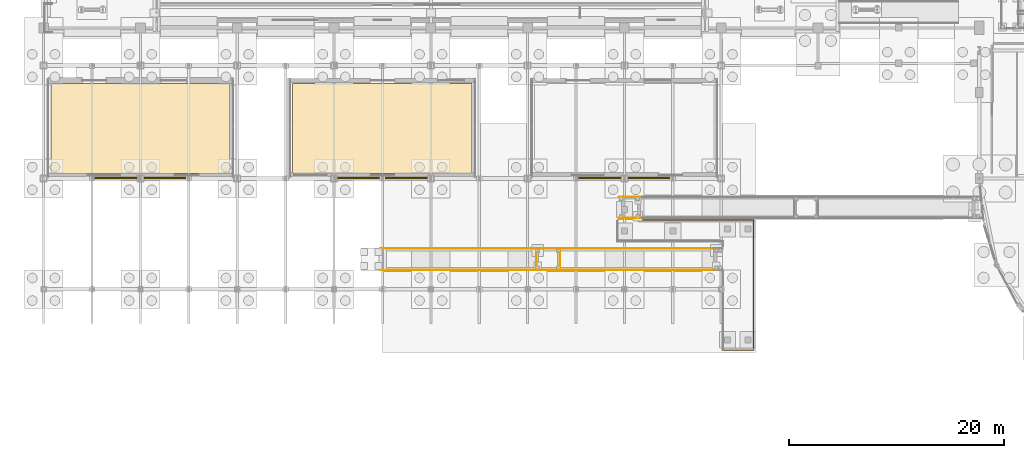
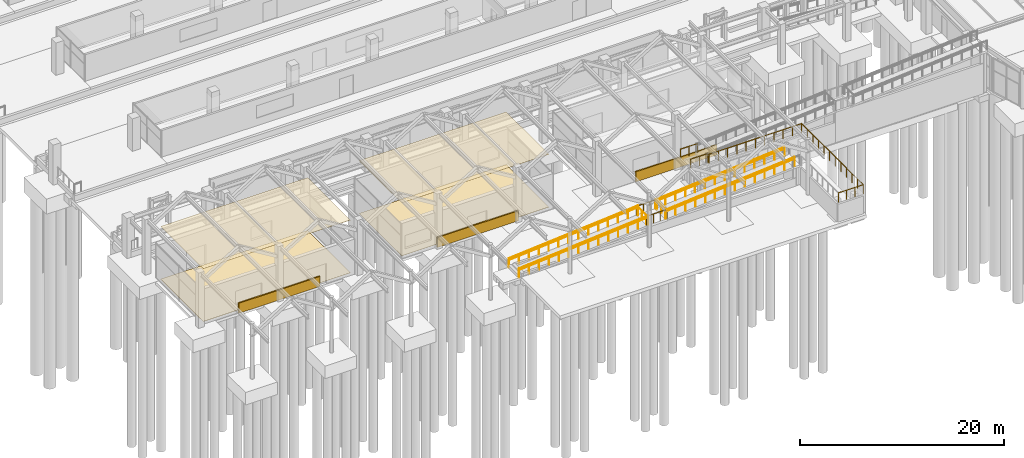
# One storey, part 148 of 160: 15 railings, 7 coverings.
"""IFC4 building model written with IfcOpenShell, lengths in metres."""

from ifc_helpers import new_model, si_unit, direction, frame, origin, origin_2d, place, context, subcontext, project, spatial, polyline, rectangle, circle, outline, extrude, material, layer, layer_set, type_object, element, save


model = new_model("IFC4")

# Units and contexts
model_context = context("Model", 3, precision=1e-05, world=origin(), true_north=direction((0.0, 1.0)))
body_context = subcontext(model_context, "Body", "Model", "MODEL_VIEW")
ifc_project = project(units=[si_unit("LENGTHUNIT", "METRE"), si_unit("AREAUNIT", "SQUARE_METRE"), si_unit("VOLUMEUNIT", "CUBIC_METRE"), si_unit("PLANEANGLEUNIT", "RADIAN"), si_unit("MASSUNIT", "GRAM", prefix="KILO")], contexts=[model_context])

# Site, building, storey
site_placement = place(None, origin())
site = spatial("IfcSite", under=ifc_project, at=site_placement, CompositionType="ELEMENT")
building_placement = place(site_placement, origin())
building = spatial("IfcBuilding", under=site, at=building_placement, Name="Marlcrest Central Station", CompositionType="ELEMENT")
storey_placement = place(building_placement, origin())
storey = spatial("IfcBuildingStorey", under=building, at=storey_placement, Name="L00", CompositionType="ELEMENT", Elevation=0.0)

# Coverings
ifc_material_1 = material(Name="Cut St. Thomas limestone veneer", Category="masonry")
ifc_layer_1 = layer(ifc_material_1, 0.14990234375, Name="CV-CL1")
ifc_layer_set_1 = layer_set([ifc_layer_1], Name="Cut St. Thomas limestone veneer")
covering_type_1 = type_object("IfcCoveringType", Name="CV-CL1", PredefinedType="CLADDING", material=ifc_layer_set_1)
for number, where, z_axis, x_axis, name in (
    (1, (9.0, 22.530029296875, 0.0), (0.0, 0.0, 1.0), (1.0, 0.0, 0.0), "cov-cl-0001"),
    (2, (31.5, 22.530029296875, 0.0), (0.0, 0.0, 1.0), (1.0, 0.0, 0.0), "cov-cl-0002"),
    (3, (54.0, 22.530029296875, 0.0), (0.0, 0.0, 1.0), (1.0, 0.0, 0.0), "cov-cl-0003"),
):
    element("IfcCovering", number, at=place(storey_placement, frame(where, z_axis=z_axis, x_axis=x_axis)), inside=storey, type_object=covering_type_1, Name=name, PredefinedType="CLADDING", context=body_context, shape_type="SweptSolid", body=[
        extrude(rectangle(XDim=9.199951171875, YDim=0.14990234375, at=origin_2d()), origin(), (0.0, 0.0, 1.0), 1.199951171875),
    ])
ifc_material_2 = material(Name="Perforated acoustic mineral-fibre ceiling")
ifc_layer_2 = layer(ifc_material_2, 0.02490234375, Name="CV-CLG")
ifc_layer_set_2 = layer_set([ifc_layer_2], Name="Perforated acoustic mineral-fibre ceiling")
covering_type_2 = type_object("IfcCoveringType", Name="CV-CLG", PredefinedType="CEILING", material=ifc_layer_set_2)
covering_1_placement = place(storey_placement, frame((0.0, 0.0, 6.324951171875)))
element("IfcCovering", 4, at=covering_1_placement, inside=storey, type_object=covering_type_2, Name="cov-clg-0036", PredefinedType="CEILING", context=body_context, shape_type="SweptSolid", body=[
    extrude(outline(polyline([(17.340087890625, 22.9599609375), (17.340087890625, 31.340087890625), (0.659912109375, 31.340087890625), (0.659912109375, 22.9599609375), (17.340087890625, 22.9599609375)])), origin(), (0.0, 0.0, 1.0), 0.025146484375),
])
covering_2_placement = place(storey_placement, frame((0.0, 0.0, 6.324951171875)))
element("IfcCovering", 5, at=covering_2_placement, inside=storey, type_object=covering_type_2, Name="cov-clg-0038", PredefinedType="CEILING", context=body_context, shape_type="SweptSolid", body=[
    extrude(outline(polyline([(39.840087890625, 22.9599609375), (39.840087890625, 31.340087890625), (23.159912109375, 31.340087890625), (23.159912109375, 22.9599609375), (39.840087890625, 22.9599609375)])), origin(), (0.0, 0.0, 1.0), 0.025146484375),
])
ifc_material_3 = material(Name="Polished terrazzo and tactile transit flooring")
ifc_layer_3 = layer(ifc_material_3, 0.030029296875, Name="CV-FLR")
ifc_layer_set_3 = layer_set([ifc_layer_3], Name="Polished terrazzo and tactile transit flooring")
covering_type_3 = type_object("IfcCoveringType", Name="CV-FLR", PredefinedType="FLOORING", material=ifc_layer_set_3)
covering_3_placement = place(storey_placement, origin())
element("IfcCovering", 6, at=covering_3_placement, inside=storey, type_object=covering_type_3, Name="cov-flr-0037", PredefinedType="FLOORING", context=body_context, shape_type="SweptSolid", body=[
    extrude(outline(polyline([(17.340087890625, 22.9599609375), (17.340087890625, 31.340087890625), (0.659912109375, 31.340087890625), (0.659912109375, 22.9599609375), (17.340087890625, 22.9599609375)])), origin(), (0.0, 0.0, 1.0), 0.030029296875),
])
covering_4_placement = place(storey_placement, origin())
element("IfcCovering", 7, at=covering_4_placement, inside=storey, type_object=covering_type_3, Name="cov-flr-0039", PredefinedType="FLOORING", context=body_context, shape_type="SweptSolid", body=[
    extrude(outline(polyline([(39.840087890625, 22.9599609375), (39.840087890625, 31.340087890625), (23.159912109375, 31.340087890625), (23.159912109375, 22.9599609375), (39.840087890625, 22.9599609375)])), origin(), (0.0, 0.0, 1.0), 0.030029296875),
])

# Railings
ifc_material_4 = material(Name="Galvanized painted steel balustrade", Category="steel")
railing_type_1 = type_object("IfcRailingType", Name="GR-01", PredefinedType="GUARDRAIL", material=ifc_material_4)
for number, where, name in (
    (8, (45.75, 14.010009765625, 1.199951171875), "hr-L00-00286"),
    (9, (45.75, 15.989990234375, 1.199951171875), "hr-L00-00287"),
):
    element("IfcRailing", number, at=place(storey_placement, frame(where)), inside=storey, type_object=railing_type_1, Name=name, PredefinedType="GUARDRAIL", context=body_context, shape_type="SweptSolid", body=[
        extrude(circle(Radius=0.02392578125, at=origin_2d()), frame((0.0, 0.0, 1.09619140625), z_axis=(1.0, 0.0, 0.0), x_axis=(0.0, 1.0, 0.0)), (0.0, 0.0, 1.0), 2.300048828125),
        extrude(circle(Radius=0.02099609375, at=origin_2d()), origin(), (0.0, 0.0, 1.0), 1.072021484375),
        extrude(circle(Radius=0.02099609375, at=origin_2d()), frame((0.7666015625, 0.0, 0.0)), (0.0, 0.0, 1.0), 1.072021484375),
        extrude(circle(Radius=0.02099609375, at=origin_2d()), frame((1.533447265625, 0.0, 0.0)), (0.0, 0.0, 1.0), 1.072021484375),
        extrude(circle(Radius=0.02099609375, at=origin_2d()), frame((2.300048828125, 0.0, 0.0)), (0.0, 0.0, 1.0), 1.072021484375),
    ])
railing_1_placement = place(storey_placement, frame((31.300048828125, 14.010009765625, 0.0)))
element("IfcRailing", 10, at=railing_1_placement, inside=storey, type_object=railing_type_1, Name="hr-L00-00291", PredefinedType="GUARDRAIL", context=body_context, shape_type="SweptSolid", body=[
    extrude(circle(Radius=0.02392578125, at=origin_2d()), frame((0.0, 0.0, 1.09619140625), z_axis=(0.996639478562, 0.0, 0.081913062275), x_axis=(0.0, 1.0, 0.0)), (0.0, 0.0, 1.0), 14.649169921875),
    extrude(circle(Radius=0.02099609375, at=origin_2d()), origin(), (0.0, 0.0, 1.0), 1.072021484375),
    extrude(circle(Radius=0.02099609375, at=origin_2d()), frame((1.123046875, 0.0, 0.09228515625)), (0.0, 0.0, 1.0), 1.072021484375),
    extrude(circle(Radius=0.02099609375, at=origin_2d()), frame((2.24609375, 0.0, 0.1845703125)), (0.0, 0.0, 1.0), 1.072021484375),
    extrude(circle(Radius=0.02099609375, at=origin_2d()), frame((3.369140625, 0.0, 0.27685546875)), (0.0, 0.0, 1.0), 1.072021484375),
    extrude(circle(Radius=0.02099609375, at=origin_2d()), frame((4.4921875, 0.0, 0.369140625)), (0.0, 0.0, 1.0), 1.072021484375),
    extrude(circle(Radius=0.02099609375, at=origin_2d()), frame((5.615234375, 0.0, 0.46142578125)), (0.0, 0.0, 1.0), 1.072021484375),
    extrude(circle(Radius=0.02099609375, at=origin_2d()), frame((6.73828125, 0.0, 0.5537109375)), (0.0, 0.0, 1.0), 1.072021484375),
    extrude(circle(Radius=0.02099609375, at=origin_2d()), frame((7.861572265625, 0.0, 0.646240234375)), (0.0, 0.0, 1.0), 1.072021484375),
    extrude(circle(Radius=0.02099609375, at=origin_2d()), frame((8.984619140625, 0.0, 0.738525390625)), (0.0, 0.0, 1.0), 1.072021484375),
    extrude(circle(Radius=0.02099609375, at=origin_2d()), frame((10.107666015625, 0.0, 0.830810546875)), (0.0, 0.0, 1.0), 1.072021484375),
    extrude(circle(Radius=0.02099609375, at=origin_2d()), frame((11.230712890625, 0.0, 0.923095703125)), (0.0, 0.0, 1.0), 1.072021484375),
    extrude(circle(Radius=0.02099609375, at=origin_2d()), frame((12.353759765625, 0.0, 1.015380859375)), (0.0, 0.0, 1.0), 1.072021484375),
    extrude(circle(Radius=0.02099609375, at=origin_2d()), frame((13.476806640625, 0.0, 1.107666015625)), (0.0, 0.0, 1.0), 1.072021484375),
    extrude(circle(Radius=0.02099609375, at=origin_2d()), frame((14.599853515625, 0.0, 1.199951171875)), (0.0, 0.0, 1.0), 1.072021484375),
])
railing_2_placement = place(storey_placement, frame((31.300048828125, 15.989990234375, 0.0)))
element("IfcRailing", 11, at=railing_2_placement, inside=storey, type_object=railing_type_1, Name="hr-L00-00293", PredefinedType="GUARDRAIL", context=body_context, shape_type="SweptSolid", body=[
    extrude(circle(Radius=0.02392578125, at=origin_2d()), frame((0.0, 0.0, 1.09619140625), z_axis=(0.996639478562, 0.0, 0.081913062275), x_axis=(0.0, 1.0, 0.0)), (0.0, 0.0, 1.0), 14.649169921875),
    extrude(circle(Radius=0.02099609375, at=origin_2d()), origin(), (0.0, 0.0, 1.0), 1.072021484375),
    extrude(circle(Radius=0.02099609375, at=origin_2d()), frame((1.123046875, 0.0, 0.09228515625)), (0.0, 0.0, 1.0), 1.072021484375),
    extrude(circle(Radius=0.02099609375, at=origin_2d()), frame((2.24609375, 0.0, 0.1845703125)), (0.0, 0.0, 1.0), 1.072021484375),
    extrude(circle(Radius=0.02099609375, at=origin_2d()), frame((3.369140625, 0.0, 0.27685546875)), (0.0, 0.0, 1.0), 1.072021484375),
    extrude(circle(Radius=0.02099609375, at=origin_2d()), frame((4.4921875, 0.0, 0.369140625)), (0.0, 0.0, 1.0), 1.072021484375),
    extrude(circle(Radius=0.02099609375, at=origin_2d()), frame((5.615234375, 0.0, 0.46142578125)), (0.0, 0.0, 1.0), 1.072021484375),
    extrude(circle(Radius=0.02099609375, at=origin_2d()), frame((6.73828125, 0.0, 0.5537109375)), (0.0, 0.0, 1.0), 1.072021484375),
    extrude(circle(Radius=0.02099609375, at=origin_2d()), frame((7.861572265625, 0.0, 0.646240234375)), (0.0, 0.0, 1.0), 1.072021484375),
    extrude(circle(Radius=0.02099609375, at=origin_2d()), frame((8.984619140625, 0.0, 0.738525390625)), (0.0, 0.0, 1.0), 1.072021484375),
    extrude(circle(Radius=0.02099609375, at=origin_2d()), frame((10.107666015625, 0.0, 0.830810546875)), (0.0, 0.0, 1.0), 1.072021484375),
    extrude(circle(Radius=0.02099609375, at=origin_2d()), frame((11.230712890625, 0.0, 0.923095703125)), (0.0, 0.0, 1.0), 1.072021484375),
    extrude(circle(Radius=0.02099609375, at=origin_2d()), frame((12.353759765625, 0.0, 1.015380859375)), (0.0, 0.0, 1.0), 1.072021484375),
    extrude(circle(Radius=0.02099609375, at=origin_2d()), frame((13.476806640625, 0.0, 1.107666015625)), (0.0, 0.0, 1.0), 1.072021484375),
    extrude(circle(Radius=0.02099609375, at=origin_2d()), frame((14.599853515625, 0.0, 1.199951171875)), (0.0, 0.0, 1.0), 1.072021484375),
])
railing_3_placement = place(storey_placement, frame((47.89990234375, 14.010009765625, 1.199951171875)))
element("IfcRailing", 12, at=railing_3_placement, inside=storey, type_object=railing_type_1, Name="hr-L00-00295", PredefinedType="GUARDRAIL", context=body_context, shape_type="SweptSolid", body=[
    extrude(circle(Radius=0.02392578125, at=origin_2d()), frame((0.0, 0.0, 1.09619140625), z_axis=(0.996639590384, 0.0, 0.081911701728), x_axis=(0.0, 1.0, 0.0)), (0.0, 0.0, 1.0), 14.6494140625),
    extrude(circle(Radius=0.02099609375, at=origin_2d()), origin(), (0.0, 0.0, 1.0), 1.072021484375),
    extrude(circle(Radius=0.02099609375, at=origin_2d()), frame((1.123046875, 0.0, 0.09228515625)), (0.0, 0.0, 1.0), 1.072021484375),
    extrude(circle(Radius=0.02099609375, at=origin_2d()), frame((2.24609375, 0.0, 0.1845703125)), (0.0, 0.0, 1.0), 1.072021484375),
    extrude(circle(Radius=0.02099609375, at=origin_2d()), frame((3.369140625, 0.0, 0.27685546875)), (0.0, 0.0, 1.0), 1.072021484375),
    extrude(circle(Radius=0.02099609375, at=origin_2d()), frame((4.492431640625, 0.0, 0.369140625)), (0.0, 0.0, 1.0), 1.072021484375),
    extrude(circle(Radius=0.02099609375, at=origin_2d()), frame((5.615478515625, 0.0, 0.46142578125)), (0.0, 0.0, 1.0), 1.072021484375),
    extrude(circle(Radius=0.02099609375, at=origin_2d()), frame((6.738525390625, 0.0, 0.5537109375)), (0.0, 0.0, 1.0), 1.072021484375),
    extrude(circle(Radius=0.02099609375, at=origin_2d()), frame((7.861572265625, 0.0, 0.646240234375)), (0.0, 0.0, 1.0), 1.072021484375),
    extrude(circle(Radius=0.02099609375, at=origin_2d()), frame((8.984619140625, 0.0, 0.738525390625)), (0.0, 0.0, 1.0), 1.072021484375),
    extrude(circle(Radius=0.02099609375, at=origin_2d()), frame((10.107666015625, 0.0, 0.830810546875)), (0.0, 0.0, 1.0), 1.072021484375),
    extrude(circle(Radius=0.02099609375, at=origin_2d()), frame((11.23095703125, 0.0, 0.923095703125)), (0.0, 0.0, 1.0), 1.072021484375),
    extrude(circle(Radius=0.02099609375, at=origin_2d()), frame((12.35400390625, 0.0, 1.015380859375)), (0.0, 0.0, 1.0), 1.072021484375),
    extrude(circle(Radius=0.02099609375, at=origin_2d()), frame((13.47705078125, 0.0, 1.107666015625)), (0.0, 0.0, 1.0), 1.072021484375),
    extrude(circle(Radius=0.02099609375, at=origin_2d()), frame((14.60009765625, 0.0, 1.199951171875)), (0.0, 0.0, 1.0), 1.072021484375),
])
railing_4_placement = place(storey_placement, frame((47.89990234375, 15.989990234375, 1.199951171875)))
element("IfcRailing", 13, at=railing_4_placement, inside=storey, type_object=railing_type_1, Name="hr-L00-00297", PredefinedType="GUARDRAIL", context=body_context, shape_type="SweptSolid", body=[
    extrude(circle(Radius=0.02392578125, at=origin_2d()), frame((0.0, 0.0, 1.09619140625), z_axis=(0.996639590384, 0.0, 0.081911701728), x_axis=(0.0, 1.0, 0.0)), (0.0, 0.0, 1.0), 14.6494140625),
    extrude(circle(Radius=0.02099609375, at=origin_2d()), origin(), (0.0, 0.0, 1.0), 1.072021484375),
    extrude(circle(Radius=0.02099609375, at=origin_2d()), frame((1.123046875, 0.0, 0.09228515625)), (0.0, 0.0, 1.0), 1.072021484375),
    extrude(circle(Radius=0.02099609375, at=origin_2d()), frame((2.24609375, 0.0, 0.1845703125)), (0.0, 0.0, 1.0), 1.072021484375),
    extrude(circle(Radius=0.02099609375, at=origin_2d()), frame((3.369140625, 0.0, 0.27685546875)), (0.0, 0.0, 1.0), 1.072021484375),
    extrude(circle(Radius=0.02099609375, at=origin_2d()), frame((4.492431640625, 0.0, 0.369140625)), (0.0, 0.0, 1.0), 1.072021484375),
    extrude(circle(Radius=0.02099609375, at=origin_2d()), frame((5.615478515625, 0.0, 0.46142578125)), (0.0, 0.0, 1.0), 1.072021484375),
    extrude(circle(Radius=0.02099609375, at=origin_2d()), frame((6.738525390625, 0.0, 0.5537109375)), (0.0, 0.0, 1.0), 1.072021484375),
    extrude(circle(Radius=0.02099609375, at=origin_2d()), frame((7.861572265625, 0.0, 0.646240234375)), (0.0, 0.0, 1.0), 1.072021484375),
    extrude(circle(Radius=0.02099609375, at=origin_2d()), frame((8.984619140625, 0.0, 0.738525390625)), (0.0, 0.0, 1.0), 1.072021484375),
    extrude(circle(Radius=0.02099609375, at=origin_2d()), frame((10.107666015625, 0.0, 0.830810546875)), (0.0, 0.0, 1.0), 1.072021484375),
    extrude(circle(Radius=0.02099609375, at=origin_2d()), frame((11.23095703125, 0.0, 0.923095703125)), (0.0, 0.0, 1.0), 1.072021484375),
    extrude(circle(Radius=0.02099609375, at=origin_2d()), frame((12.35400390625, 0.0, 1.015380859375)), (0.0, 0.0, 1.0), 1.072021484375),
    extrude(circle(Radius=0.02099609375, at=origin_2d()), frame((13.47705078125, 0.0, 1.107666015625)), (0.0, 0.0, 1.0), 1.072021484375),
    extrude(circle(Radius=0.02099609375, at=origin_2d()), frame((14.60009765625, 0.0, 1.199951171875)), (0.0, 0.0, 1.0), 1.072021484375),
])
for number, where, name in (
    (14, (53.5, 18.81005859375, 2.39990234375), "hr-L00-00298"),
    (15, (53.5, 20.7900390625, 2.39990234375), "hr-L00-00299"),
):
    element("IfcRailing", number, at=place(storey_placement, frame(where)), inside=storey, type_object=railing_type_1, Name=name, PredefinedType="GUARDRAIL", context=body_context, shape_type="SweptSolid", body=[
        extrude(circle(Radius=0.02392578125, at=origin_2d()), frame((0.0, 0.0, 1.09619140625), z_axis=(1.0, 0.0, 0.0), x_axis=(0.0, 1.0, 0.0)), (0.0, 0.0, 1.0), 1.949951171875),
        extrude(circle(Radius=0.02099609375, at=origin_2d()), origin(), (0.0, 0.0, 1.0), 1.072021484375),
        extrude(circle(Radius=0.02099609375, at=origin_2d()), frame((0.97509765625, 0.0, 0.0)), (0.0, 0.0, 1.0), 1.072021484375),
        extrude(circle(Radius=0.02099609375, at=origin_2d()), frame((1.949951171875, 0.0, 0.0)), (0.0, 0.0, 1.0), 1.072021484375),
    ])
railing_5_placement = place(storey_placement, frame((55.5, 18.639892578125, 2.39990234375)))
element("IfcRailing", 16, at=railing_5_placement, inside=storey, type_object=railing_type_1, Name="hr-L00-00373", PredefinedType="GUARDRAIL", context=body_context, shape_type="SweptSolid", body=[
    extrude(circle(Radius=0.02392578125, at=origin_2d()), frame((0.0, 0.0, 1.09619140625), z_axis=(1.0, 0.0, 0.0), x_axis=(0.0, 1.0, 0.0)), (0.0, 0.0, 1.0), 10.489990234375),
    extrude(circle(Radius=0.02392578125, at=origin_2d()), frame((10.489990234375, 0.0, 1.09619140625), z_axis=(0.0, -1.0, 0.0), x_axis=(1.0, 0.0, 0.0)), (0.0, 0.0, 1.0), 12.079833984375),
    extrude(circle(Radius=0.02392578125, at=origin_2d()), frame((10.489990234375, -12.079833984375, 1.09619140625), z_axis=(-1.0, 0.0, 0.0), x_axis=(0.0, -1.0, 0.0)), (0.0, 0.0, 1.0), 2.81005859375),
    extrude(circle(Radius=0.02099609375, at=origin_2d()), origin(), (0.0, 0.0, 1.0), 1.072021484375),
    extrude(circle(Radius=0.02099609375, at=origin_2d()), frame((1.049072265625, 0.0, 0.0)), (0.0, 0.0, 1.0), 1.072021484375),
    extrude(circle(Radius=0.02099609375, at=origin_2d()), frame((2.097900390625, 0.0, 0.0)), (0.0, 0.0, 1.0), 1.072021484375),
    extrude(circle(Radius=0.02099609375, at=origin_2d()), frame((3.14697265625, 0.0, 0.0)), (0.0, 0.0, 1.0), 1.072021484375),
    extrude(circle(Radius=0.02099609375, at=origin_2d()), frame((4.196044921875, 0.0, 0.0)), (0.0, 0.0, 1.0), 1.072021484375),
    extrude(circle(Radius=0.02099609375, at=origin_2d()), frame((5.2451171875, 0.0, 0.0)), (0.0, 0.0, 1.0), 1.072021484375),
    extrude(circle(Radius=0.02099609375, at=origin_2d()), frame((6.2939453125, 0.0, 0.0)), (0.0, 0.0, 1.0), 1.072021484375),
    extrude(circle(Radius=0.02099609375, at=origin_2d()), frame((7.343017578125, 0.0, 0.0)), (0.0, 0.0, 1.0), 1.072021484375),
    extrude(circle(Radius=0.02099609375, at=origin_2d()), frame((8.39208984375, 0.0, 0.0)), (0.0, 0.0, 1.0), 1.072021484375),
    extrude(circle(Radius=0.02099609375, at=origin_2d()), frame((9.44091796875, 0.0, 0.0)), (0.0, 0.0, 1.0), 1.072021484375),
    extrude(circle(Radius=0.02099609375, at=origin_2d()), frame((10.489990234375, 0.0, 0.0)), (0.0, 0.0, 1.0), 1.072021484375),
    extrude(circle(Radius=0.02099609375, at=origin_2d()), frame((10.489990234375, -1.09814453125, 0.0)), (0.0, 0.0, 1.0), 1.072021484375),
    extrude(circle(Radius=0.02099609375, at=origin_2d()), frame((10.489990234375, -2.1962890625, 0.0)), (0.0, 0.0, 1.0), 1.072021484375),
    extrude(circle(Radius=0.02099609375, at=origin_2d()), frame((10.489990234375, -3.29443359375, 0.0)), (0.0, 0.0, 1.0), 1.072021484375),
    extrude(circle(Radius=0.02099609375, at=origin_2d()), frame((10.489990234375, -4.392578125, 0.0)), (0.0, 0.0, 1.0), 1.072021484375),
    extrude(circle(Radius=0.02099609375, at=origin_2d()), frame((10.489990234375, -5.49072265625, 0.0)), (0.0, 0.0, 1.0), 1.072021484375),
    extrude(circle(Radius=0.02099609375, at=origin_2d()), frame((10.489990234375, -6.589111328125, 0.0)), (0.0, 0.0, 1.0), 1.072021484375),
    extrude(circle(Radius=0.02099609375, at=origin_2d()), frame((10.489990234375, -7.687255859375, 0.0)), (0.0, 0.0, 1.0), 1.072021484375),
    extrude(circle(Radius=0.02099609375, at=origin_2d()), frame((10.489990234375, -8.785400390625, 0.0)), (0.0, 0.0, 1.0), 1.072021484375),
    extrude(circle(Radius=0.02099609375, at=origin_2d()), frame((10.489990234375, -9.883544921875, 0.0)), (0.0, 0.0, 1.0), 1.072021484375),
    extrude(circle(Radius=0.02099609375, at=origin_2d()), frame((10.489990234375, -10.981689453125, 0.0)), (0.0, 0.0, 1.0), 1.072021484375),
    extrude(circle(Radius=0.02099609375, at=origin_2d()), frame((10.489990234375, -12.079833984375, 0.0)), (0.0, 0.0, 1.0), 1.072021484375),
    extrude(circle(Radius=0.02099609375, at=origin_2d()), frame((9.55322265625, -12.079833984375, 0.0)), (0.0, 0.0, 1.0), 1.072021484375),
    extrude(circle(Radius=0.02099609375, at=origin_2d()), frame((8.61669921875, -12.079833984375, 0.0)), (0.0, 0.0, 1.0), 1.072021484375),
    extrude(circle(Radius=0.02099609375, at=origin_2d()), frame((7.679931640625, -12.079833984375, 0.0)), (0.0, 0.0, 1.0), 1.072021484375),
])
railing_6_placement = place(storey_placement, frame((45.81005859375, 14.14990234375, 1.199951171875)))
element("IfcRailing", 17, at=railing_6_placement, inside=storey, type_object=railing_type_1, Name="hr-L00-00610", PredefinedType="GUARDRAIL", context=body_context, shape_type="SweptSolid", body=[
    extrude(circle(Radius=0.02392578125, at=origin_2d()), frame((0.0, 0.0, 1.09619140625), z_axis=(0.0, 1.0, 0.0), x_axis=(-1.0, 0.0, 0.0)), (0.0, 0.0, 1.0), 1.7001953125),
    extrude(circle(Radius=0.02099609375, at=origin_2d()), origin(), (0.0, 0.0, 1.0), 1.072021484375),
    extrude(circle(Radius=0.02099609375, at=origin_2d()), frame((0.0, 0.85009765625, 0.0)), (0.0, 0.0, 1.0), 1.072021484375),
    extrude(circle(Radius=0.02099609375, at=origin_2d()), frame((0.0, 1.7001953125, 0.0)), (0.0, 0.0, 1.0), 1.072021484375),
])
railing_7_placement = place(storey_placement, frame((47.989990234375, 15.85009765625, 1.199951171875)))
element("IfcRailing", 18, at=railing_7_placement, inside=storey, type_object=railing_type_1, Name="hr-L00-00611", PredefinedType="GUARDRAIL", context=body_context, shape_type="SweptSolid", body=[
    extrude(circle(Radius=0.02392578125, at=origin_2d()), frame((0.0, 0.0, 1.09619140625), z_axis=(0.0, -1.0, 0.0), x_axis=(1.0, 0.0, 0.0)), (0.0, 0.0, 1.0), 1.7001953125),
    extrude(circle(Radius=0.02099609375, at=origin_2d()), origin(), (0.0, 0.0, 1.0), 1.072021484375),
    extrude(circle(Radius=0.02099609375, at=origin_2d()), frame((0.0, -0.85009765625, 0.0)), (0.0, 0.0, 1.0), 1.072021484375),
    extrude(circle(Radius=0.02099609375, at=origin_2d()), frame((0.0, -1.7001953125, 0.0)), (0.0, 0.0, 1.0), 1.072021484375),
])
ifc_material_5 = material(Name="Brushed stainless steel handrail", Category="steel")
railing_type_2 = type_object("IfcRailingType", Name="HR-01", PredefinedType="HANDRAIL", material=ifc_material_5)
railing_8_placement = place(storey_placement, frame((31.300048828125, 14.010009765625, 0.0)))
element("IfcRailing", 19, at=railing_8_placement, inside=storey, type_object=railing_type_2, Name="hr-L00-00290", PredefinedType="HANDRAIL", context=body_context, shape_type="SweptSolid", body=[
    extrude(circle(Radius=0.02392578125, at=origin_2d()), frame((0.0, 0.0, 0.89599609375), z_axis=(0.996639478562, 0.0, 0.081913062275), x_axis=(0.0, 1.0, 0.0)), (0.0, 0.0, 1.0), 14.649169921875),
    extrude(circle(Radius=0.02099609375, at=origin_2d()), origin(), (0.0, 0.0, 1.0), 0.871826171875),
    extrude(circle(Radius=0.02099609375, at=origin_2d()), frame((1.123046875, 0.0, 0.09228515625)), (0.0, 0.0, 1.0), 0.871826171875),
    extrude(circle(Radius=0.02099609375, at=origin_2d()), frame((2.24609375, 0.0, 0.1845703125)), (0.0, 0.0, 1.0), 0.871826171875),
    extrude(circle(Radius=0.02099609375, at=origin_2d()), frame((3.369140625, 0.0, 0.27685546875)), (0.0, 0.0, 1.0), 0.871826171875),
    extrude(circle(Radius=0.02099609375, at=origin_2d()), frame((4.4921875, 0.0, 0.369140625)), (0.0, 0.0, 1.0), 0.871826171875),
    extrude(circle(Radius=0.02099609375, at=origin_2d()), frame((5.615234375, 0.0, 0.46142578125)), (0.0, 0.0, 1.0), 0.871826171875),
    extrude(circle(Radius=0.02099609375, at=origin_2d()), frame((6.73828125, 0.0, 0.5537109375)), (0.0, 0.0, 1.0), 0.871826171875),
    extrude(circle(Radius=0.02099609375, at=origin_2d()), frame((7.861572265625, 0.0, 0.646240234375)), (0.0, 0.0, 1.0), 0.871826171875),
    extrude(circle(Radius=0.02099609375, at=origin_2d()), frame((8.984619140625, 0.0, 0.738525390625)), (0.0, 0.0, 1.0), 0.871826171875),
    extrude(circle(Radius=0.02099609375, at=origin_2d()), frame((10.107666015625, 0.0, 0.830810546875)), (0.0, 0.0, 1.0), 0.871826171875),
    extrude(circle(Radius=0.02099609375, at=origin_2d()), frame((11.230712890625, 0.0, 0.923095703125)), (0.0, 0.0, 1.0), 0.871826171875),
    extrude(circle(Radius=0.02099609375, at=origin_2d()), frame((12.353759765625, 0.0, 1.015380859375)), (0.0, 0.0, 1.0), 0.871826171875),
    extrude(circle(Radius=0.02099609375, at=origin_2d()), frame((13.476806640625, 0.0, 1.107666015625)), (0.0, 0.0, 1.0), 0.871826171875),
    extrude(circle(Radius=0.02099609375, at=origin_2d()), frame((14.599853515625, 0.0, 1.199951171875)), (0.0, 0.0, 1.0), 0.871826171875),
])
railing_9_placement = place(storey_placement, frame((31.300048828125, 15.989990234375, 0.0)))
element("IfcRailing", 20, at=railing_9_placement, inside=storey, type_object=railing_type_2, Name="hr-L00-00292", PredefinedType="HANDRAIL", context=body_context, shape_type="SweptSolid", body=[
    extrude(circle(Radius=0.02392578125, at=origin_2d()), frame((0.0, 0.0, 0.89599609375), z_axis=(0.996639478562, 0.0, 0.081913062275), x_axis=(0.0, 1.0, 0.0)), (0.0, 0.0, 1.0), 14.649169921875),
    extrude(circle(Radius=0.02099609375, at=origin_2d()), origin(), (0.0, 0.0, 1.0), 0.871826171875),
    extrude(circle(Radius=0.02099609375, at=origin_2d()), frame((1.123046875, 0.0, 0.09228515625)), (0.0, 0.0, 1.0), 0.871826171875),
    extrude(circle(Radius=0.02099609375, at=origin_2d()), frame((2.24609375, 0.0, 0.1845703125)), (0.0, 0.0, 1.0), 0.871826171875),
    extrude(circle(Radius=0.02099609375, at=origin_2d()), frame((3.369140625, 0.0, 0.27685546875)), (0.0, 0.0, 1.0), 0.871826171875),
    extrude(circle(Radius=0.02099609375, at=origin_2d()), frame((4.4921875, 0.0, 0.369140625)), (0.0, 0.0, 1.0), 0.871826171875),
    extrude(circle(Radius=0.02099609375, at=origin_2d()), frame((5.615234375, 0.0, 0.46142578125)), (0.0, 0.0, 1.0), 0.871826171875),
    extrude(circle(Radius=0.02099609375, at=origin_2d()), frame((6.73828125, 0.0, 0.5537109375)), (0.0, 0.0, 1.0), 0.871826171875),
    extrude(circle(Radius=0.02099609375, at=origin_2d()), frame((7.861572265625, 0.0, 0.646240234375)), (0.0, 0.0, 1.0), 0.871826171875),
    extrude(circle(Radius=0.02099609375, at=origin_2d()), frame((8.984619140625, 0.0, 0.738525390625)), (0.0, 0.0, 1.0), 0.871826171875),
    extrude(circle(Radius=0.02099609375, at=origin_2d()), frame((10.107666015625, 0.0, 0.830810546875)), (0.0, 0.0, 1.0), 0.871826171875),
    extrude(circle(Radius=0.02099609375, at=origin_2d()), frame((11.230712890625, 0.0, 0.923095703125)), (0.0, 0.0, 1.0), 0.871826171875),
    extrude(circle(Radius=0.02099609375, at=origin_2d()), frame((12.353759765625, 0.0, 1.015380859375)), (0.0, 0.0, 1.0), 0.871826171875),
    extrude(circle(Radius=0.02099609375, at=origin_2d()), frame((13.476806640625, 0.0, 1.107666015625)), (0.0, 0.0, 1.0), 0.871826171875),
    extrude(circle(Radius=0.02099609375, at=origin_2d()), frame((14.599853515625, 0.0, 1.199951171875)), (0.0, 0.0, 1.0), 0.871826171875),
])
railing_10_placement = place(storey_placement, frame((47.89990234375, 14.010009765625, 1.199951171875)))
element("IfcRailing", 21, at=railing_10_placement, inside=storey, type_object=railing_type_2, Name="hr-L00-00294", PredefinedType="HANDRAIL", context=body_context, shape_type="SweptSolid", body=[
    extrude(circle(Radius=0.02392578125, at=origin_2d()), frame((0.0, 0.0, 0.89599609375), z_axis=(0.996639590384, 0.0, 0.081911701728), x_axis=(0.0, 1.0, 0.0)), (0.0, 0.0, 1.0), 14.6494140625),
    extrude(circle(Radius=0.02099609375, at=origin_2d()), origin(), (0.0, 0.0, 1.0), 0.871826171875),
    extrude(circle(Radius=0.02099609375, at=origin_2d()), frame((1.123046875, 0.0, 0.09228515625)), (0.0, 0.0, 1.0), 0.871826171875),
    extrude(circle(Radius=0.02099609375, at=origin_2d()), frame((2.24609375, 0.0, 0.1845703125)), (0.0, 0.0, 1.0), 0.871826171875),
    extrude(circle(Radius=0.02099609375, at=origin_2d()), frame((3.369140625, 0.0, 0.27685546875)), (0.0, 0.0, 1.0), 0.871826171875),
    extrude(circle(Radius=0.02099609375, at=origin_2d()), frame((4.492431640625, 0.0, 0.369140625)), (0.0, 0.0, 1.0), 0.871826171875),
    extrude(circle(Radius=0.02099609375, at=origin_2d()), frame((5.615478515625, 0.0, 0.46142578125)), (0.0, 0.0, 1.0), 0.871826171875),
    extrude(circle(Radius=0.02099609375, at=origin_2d()), frame((6.738525390625, 0.0, 0.5537109375)), (0.0, 0.0, 1.0), 0.871826171875),
    extrude(circle(Radius=0.02099609375, at=origin_2d()), frame((7.861572265625, 0.0, 0.646240234375)), (0.0, 0.0, 1.0), 0.871826171875),
    extrude(circle(Radius=0.02099609375, at=origin_2d()), frame((8.984619140625, 0.0, 0.738525390625)), (0.0, 0.0, 1.0), 0.871826171875),
    extrude(circle(Radius=0.02099609375, at=origin_2d()), frame((10.107666015625, 0.0, 0.830810546875)), (0.0, 0.0, 1.0), 0.871826171875),
    extrude(circle(Radius=0.02099609375, at=origin_2d()), frame((11.23095703125, 0.0, 0.923095703125)), (0.0, 0.0, 1.0), 0.871826171875),
    extrude(circle(Radius=0.02099609375, at=origin_2d()), frame((12.35400390625, 0.0, 1.015380859375)), (0.0, 0.0, 1.0), 0.871826171875),
    extrude(circle(Radius=0.02099609375, at=origin_2d()), frame((13.47705078125, 0.0, 1.107666015625)), (0.0, 0.0, 1.0), 0.871826171875),
    extrude(circle(Radius=0.02099609375, at=origin_2d()), frame((14.60009765625, 0.0, 1.199951171875)), (0.0, 0.0, 1.0), 0.871826171875),
])
railing_11_placement = place(storey_placement, frame((47.89990234375, 15.989990234375, 1.199951171875)))
element("IfcRailing", 22, at=railing_11_placement, inside=storey, type_object=railing_type_2, Name="hr-L00-00296", PredefinedType="HANDRAIL", context=body_context, shape_type="SweptSolid", body=[
    extrude(circle(Radius=0.02392578125, at=origin_2d()), frame((0.0, 0.0, 0.89599609375), z_axis=(0.996639590384, 0.0, 0.081911701728), x_axis=(0.0, 1.0, 0.0)), (0.0, 0.0, 1.0), 14.6494140625),
    extrude(circle(Radius=0.02099609375, at=origin_2d()), origin(), (0.0, 0.0, 1.0), 0.871826171875),
    extrude(circle(Radius=0.02099609375, at=origin_2d()), frame((1.123046875, 0.0, 0.09228515625)), (0.0, 0.0, 1.0), 0.871826171875),
    extrude(circle(Radius=0.02099609375, at=origin_2d()), frame((2.24609375, 0.0, 0.1845703125)), (0.0, 0.0, 1.0), 0.871826171875),
    extrude(circle(Radius=0.02099609375, at=origin_2d()), frame((3.369140625, 0.0, 0.27685546875)), (0.0, 0.0, 1.0), 0.871826171875),
    extrude(circle(Radius=0.02099609375, at=origin_2d()), frame((4.492431640625, 0.0, 0.369140625)), (0.0, 0.0, 1.0), 0.871826171875),
    extrude(circle(Radius=0.02099609375, at=origin_2d()), frame((5.615478515625, 0.0, 0.46142578125)), (0.0, 0.0, 1.0), 0.871826171875),
    extrude(circle(Radius=0.02099609375, at=origin_2d()), frame((6.738525390625, 0.0, 0.5537109375)), (0.0, 0.0, 1.0), 0.871826171875),
    extrude(circle(Radius=0.02099609375, at=origin_2d()), frame((7.861572265625, 0.0, 0.646240234375)), (0.0, 0.0, 1.0), 0.871826171875),
    extrude(circle(Radius=0.02099609375, at=origin_2d()), frame((8.984619140625, 0.0, 0.738525390625)), (0.0, 0.0, 1.0), 0.871826171875),
    extrude(circle(Radius=0.02099609375, at=origin_2d()), frame((10.107666015625, 0.0, 0.830810546875)), (0.0, 0.0, 1.0), 0.871826171875),
    extrude(circle(Radius=0.02099609375, at=origin_2d()), frame((11.23095703125, 0.0, 0.923095703125)), (0.0, 0.0, 1.0), 0.871826171875),
    extrude(circle(Radius=0.02099609375, at=origin_2d()), frame((12.35400390625, 0.0, 1.015380859375)), (0.0, 0.0, 1.0), 0.871826171875),
    extrude(circle(Radius=0.02099609375, at=origin_2d()), frame((13.47705078125, 0.0, 1.107666015625)), (0.0, 0.0, 1.0), 0.871826171875),
    extrude(circle(Radius=0.02099609375, at=origin_2d()), frame((14.60009765625, 0.0, 1.199951171875)), (0.0, 0.0, 1.0), 0.871826171875),
])

save(model, "model.ifc")
